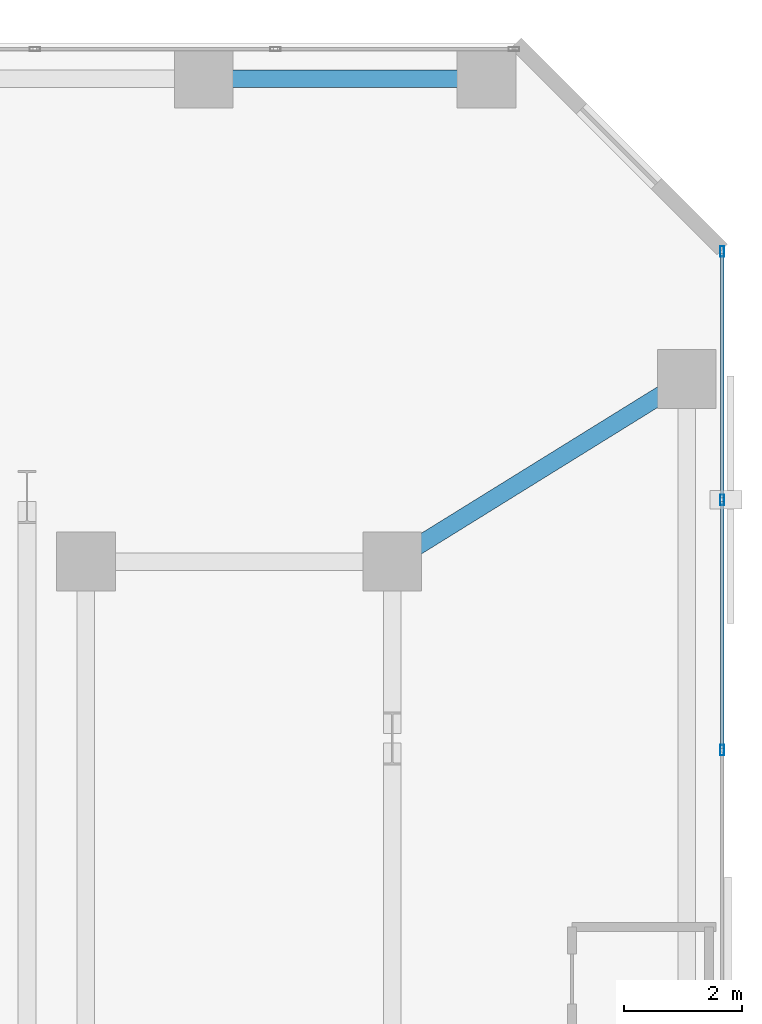
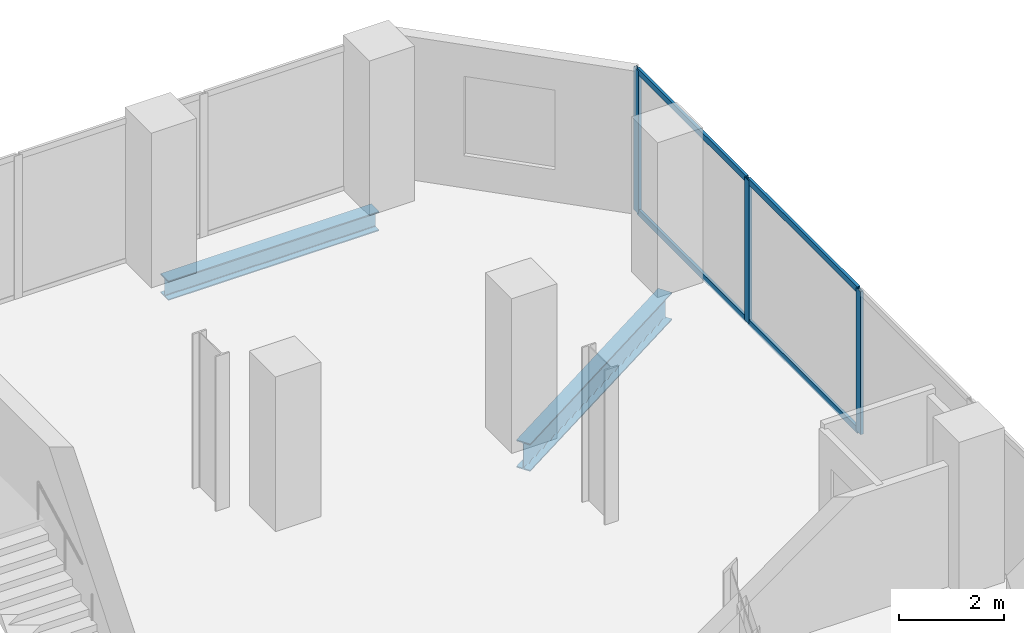
# One storey, part 23 of 31: 7 members, 2 beams, 1 element without a shape of its own.
"""IFC4 building model written with IfcOpenShell, lengths in metres."""

import ifcopenshell
import ifcopenshell.guid

model = None  # the IFC model being written
_history = None  # IfcOwnerHistory: only IFC2X3 demands one
_inside = {}  # id of a spatial element -> (the spatial element, [elements in it])
_under = {}  # id of a project, library or spatial element -> (it, [spatial elements below it])
_declared = {}  # id of a project -> (the project, [libraries it declares])
_typed = {}  # id of a type object -> (the type object, [elements of that type])
_made_of = {}  # id of a material, layer set ... -> (it, [elements and type objects made of it])


def new_model(schema):
    """Start an empty IFC model of exactly this schema.

    Asked for "IFC4X3", IfcOpenShell would pick the latest addendum, in which some entities
    have other attributes; the version numbers below select the first issue.
    IFC2X3 requires an IfcOwnerHistory on every rooted entity: one is made here for all.
    """
    global model, _history
    if schema == "IFC4X3":
        model = ifcopenshell.file(schema_version=(4, 3, 0, 0))
    else:
        model = ifcopenshell.file(schema=schema)
    _inside.clear()
    _under.clear()
    _declared.clear()
    _typed.clear()
    _made_of.clear()
    _history = None
    if model.schema == "IFC2X3":
        org = make("IfcOrganization", Name="unknown")
        user = make(
            "IfcPersonAndOrganization",
            ThePerson=make("IfcPerson", FamilyName="unknown"),
            TheOrganization=org,
        )
        app = make(
            "IfcApplication",
            ApplicationDeveloper=org,
            Version="unknown",
            ApplicationFullName="unknown",
            ApplicationIdentifier="unknown",
        )
        _history = make(
            "IfcOwnerHistory",
            OwningUser=user,
            OwningApplication=app,
            ChangeAction="ADDED",
            CreationDate=0,
        )
    return model


def make(cls, **values):
    """One entity of the class cls with the attributes given. An attribute that is None is left unset."""
    return model.create_entity(
        cls, **{name: value for name, value in values.items() if value is not None}
    )


def rooted(cls, **values):
    """An entity with a GlobalId (a new one), such as an element, a storey or a relation."""
    return make(cls, GlobalId=ifcopenshell.guid.new(), OwnerHistory=_history, **values)


def si_unit(unit_type, name, prefix=None):
    """IfcSIUnit, for example si_unit("LENGTHUNIT", "METRE", prefix="MILLI")."""
    return make("IfcSIUnit", UnitType=unit_type, Prefix=prefix, Name=name)


def assignment(units):
    """IfcUnitAssignment: the units of a project."""
    return None if units is None else make("IfcUnitAssignment", Units=units)


def point(xyz):
    """IfcCartesianPoint."""
    return None if xyz is None else make("IfcCartesianPoint", Coordinates=xyz)


def direction(xyz):
    """IfcDirection."""
    return None if xyz is None else make("IfcDirection", DirectionRatios=xyz)


def frame(location, z_axis=None, x_axis=None):
    """IfcAxis2Placement3D, a coordinate frame: its origin and axes. An axis left out is left unset."""
    return make(
        "IfcAxis2Placement3D",
        Location=point(location),
        Axis=direction(z_axis),
        RefDirection=direction(x_axis),
    )


def frame_2d(location, x_axis=None):
    """IfcAxis2Placement2D, a coordinate frame in the plane: its origin and x axis."""
    return make(
        "IfcAxis2Placement2D", Location=point(location), RefDirection=direction(x_axis)
    )


def origin():
    """The frame at (0, 0, 0) with its axes left unset."""
    return frame((0.0, 0.0, 0.0))


def origin_2d():
    """The frame at (0, 0) in the plane with its x axis left unset."""
    return frame_2d((0.0, 0.0))


def place(relative_to, where):
    """IfcLocalPlacement: puts the frame where relative to a parent placement (None: the world)."""
    return make(
        "IfcLocalPlacement", PlacementRelTo=relative_to, RelativePlacement=where
    )


def context(
    kind, dimensions, precision=None, world=None, true_north=None, identifier=None
):
    """IfcGeometricRepresentationContext, for example the 3D "Model" context."""
    return make(
        "IfcGeometricRepresentationContext",
        ContextIdentifier=identifier,
        ContextType=kind,
        CoordinateSpaceDimension=dimensions,
        Precision=precision,
        WorldCoordinateSystem=world,
        TrueNorth=true_north,
    )


def subcontext(parent, identifier, kind, view, scale=None):
    """IfcGeometricRepresentationSubContext, for example "Body" below "Model"."""
    return make(
        "IfcGeometricRepresentationSubContext",
        ContextIdentifier=identifier,
        ContextType=kind,
        ParentContext=parent,
        TargetScale=scale,
        TargetView=view,
    )


def project(units=None, contexts=None):
    """IfcProject with its units and contexts."""
    return rooted(
        "IfcProject",
        Name="project",
        RepresentationContexts=contexts,
        UnitsInContext=assignment(units),
    )


def spatial(cls, under=None, at=None, **own):
    """A site, building, storey or space (cls), placed at a placement, below another one or the project."""
    s = rooted(cls, ObjectPlacement=at, **own)
    if under is not None:
        _under.setdefault(under.id(), (under, []))[1].append(s)
    return s


def profile(cls, at=None, kind="AREA", **sizes):
    """A parametric profile (cls). Its sizes go by their IFC names, for example OverallWidth=200.0."""
    return make(cls, ProfileType=kind, Position=at, **sizes)


def hollow_rectangle(**sizes):
    """IfcRectangleHollowProfileDef."""
    return profile("IfcRectangleHollowProfileDef", **sizes)


def i_section(**sizes):
    """IfcIShapeProfileDef."""
    return profile("IfcIShapeProfileDef", **sizes)


def extrude(swept, where, along, depth):
    """IfcExtrudedAreaSolid: the profile swept, set in the frame where, extruded along a direction by depth."""
    return make(
        "IfcExtrudedAreaSolid",
        SweptArea=swept,
        Position=where,
        ExtrudedDirection=direction(along),
        Depth=depth,
    )


def shape(context_of_items, identifier, shape_type, items):
    """IfcShapeRepresentation: the items that make up one representation, for example the "Body"."""
    return make(
        "IfcShapeRepresentation",
        ContextOfItems=context_of_items,
        RepresentationIdentifier=identifier,
        RepresentationType=shape_type,
        Items=items,
    )


def material(Name=None, Category=None):
    """IfcMaterial."""
    return make("IfcMaterial", Name=Name, Category=Category)


def layer(
    of_material, thickness, ventilated=None, Name=None, Category=None, Priority=None
):
    """IfcMaterialLayer: one layer of a wall or slab, of a material (None: an air gap)."""
    return make(
        "IfcMaterialLayer",
        Material=of_material,
        LayerThickness=thickness,
        IsVentilated=ventilated,
        Name=Name,
        Category=Category,
        Priority=Priority,
    )


def layer_set(layers, Name=None):
    """IfcMaterialLayerSet."""
    return make("IfcMaterialLayerSet", MaterialLayers=layers, LayerSetName=Name)


def material_profile(
    of_material, cross_section, Name=None, Category=None, Priority=None
):
    """IfcMaterialProfile: a cross section and its material."""
    return make(
        "IfcMaterialProfile",
        Name=Name,
        Material=of_material,
        Profile=cross_section,
        Priority=Priority,
        Category=Category,
    )


def profile_set(profiles, Name=None, composite=None):
    """IfcMaterialProfileSet."""
    return make(
        "IfcMaterialProfileSet",
        Name=Name,
        MaterialProfiles=profiles,
        CompositeProfile=composite,
    )


def made_of(thing, what):
    """Note that an element or type object is made of a material, layer set ...; save() writes the relation."""
    if what is not None:
        _made_of.setdefault(what.id(), (what, []))[1].append(thing)
    return thing


def type_object(cls, material=None, **own):
    """A type object (cls), such as IfcWallType, which elements share."""
    return made_of(rooted(cls, **own), material)


def element(
    cls,
    number,
    at=None,
    inside=None,
    cuts=None,
    type_object=None,
    material=None,
    context=None,
    identifier="Body",
    shape_type=None,
    held_by="IfcProductDefinitionShape",
    body=None,
    shapes=None,
    **own,
):
    """One element of the class cls, such as IfcWall. Its Tag is "e" and its number.

    at: its placement. inside: the storey or other place that contains it. cuts: it is an
    opening in that element (IfcRelVoidsElement). A single representation is given by context,
    identifier, shape_type and body (its items); several are given by shapes. held_by: the class
    of the entity that holds the representations. save() writes the other relations.
    """
    e = rooted(cls, Tag="e%d" % number, ObjectPlacement=at, **own)
    if body is not None:
        shapes = [shape(context, identifier, shape_type, body)]
    if shapes is not None:
        e.Representation = make(held_by, Representations=shapes)
    if inside is not None:
        _inside.setdefault(inside.id(), (inside, []))[1].append(e)
    if cuts is not None:
        rooted(
            "IfcRelVoidsElement", RelatingBuildingElement=cuts, RelatedOpeningElement=e
        )
    if type_object is not None:
        _typed.setdefault(type_object.id(), (type_object, []))[1].append(e)
    return made_of(e, material)


def aggregate(whole, parts):
    """IfcRelAggregates: a whole, such as a stair, and the parts it consists of."""
    return rooted("IfcRelAggregates", RelatingObject=whole, RelatedObjects=parts)


def save(model, path):
    """Write the relations noted so far, then the file.

    IfcRelAggregates (storeys below a building ...), IfcRelContainedInSpatialStructure (elements
    in a storey), IfcRelDefinesByType, IfcRelAssociatesMaterial and IfcRelDeclares: one each for
    every whole, place, type object, material and project.
    """
    for whole, parts in _under.values():
        aggregate(whole, parts)
    for where, things in _inside.values():
        rooted(
            "IfcRelContainedInSpatialStructure",
            RelatedElements=things,
            RelatingStructure=where,
        )
    for kind, things in _typed.values():
        rooted("IfcRelDefinesByType", RelatedObjects=things, RelatingType=kind)
    for what, things in _made_of.values():
        rooted("IfcRelAssociatesMaterial", RelatedObjects=things, RelatingMaterial=what)
    for by, libraries in _declared.values():
        rooted("IfcRelDeclares", RelatingContext=by, RelatedDefinitions=libraries)
    model.write(path)


model = new_model("IFC4")

# Units and contexts
model_context = context("Model", 3, precision=1e-05, world=origin(), true_north=direction((0.0, 1.0)))
body_context = subcontext(model_context, "Body", "Model", "MODEL_VIEW")
ifc_project = project(units=[si_unit("LENGTHUNIT", "METRE"), si_unit("AREAUNIT", "SQUARE_METRE"), si_unit("VOLUMEUNIT", "CUBIC_METRE"), si_unit("PLANEANGLEUNIT", "RADIAN"), si_unit("MASSUNIT", "GRAM", prefix="KILO")], contexts=[model_context])

# Site, building, storey
site_placement = place(None, origin())
site = spatial("IfcSite", under=ifc_project, at=site_placement, CompositionType="ELEMENT")
building_placement = place(site_placement, origin())
building = spatial("IfcBuilding", under=site, at=building_placement, Name="Catumbela Crestline Tower", CompositionType="ELEMENT")
storey_placement = place(building_placement, frame((0.0, 0.0, 36.6)))
storey = spatial("IfcBuildingStorey", under=building, at=storey_placement, Name="L08", CompositionType="ELEMENT", Elevation=36.6)

# Beam
ifc_material_1 = material(Name="Structural steel S355J2", Category="steel")
ifc_material_profile_1 = material_profile(ifc_material_1, i_section(OverallWidth=0.3, OverallDepth=0.64, WebThickness=0.0135, FlangeThickness=0.026, FilletRadius=0.027, at=origin_2d()), Name="HEA 650")
ifc_profile_set_1 = profile_set([ifc_material_profile_1], Name="Structural steel S355J2")
beam_type_1 = type_object("IfcBeamType", Name="BG-HEA650", PredefinedType="BEAM", material=ifc_profile_set_1)
beam_1_placement = place(storey_placement, frame((50.468, 39.2422, -0.58), z_axis=(0.849908952007, 0.526929571479, 0.0), x_axis=(-0.526929571479, 0.849908952007, 0.0)))
element("IfcBeam", 1, at=beam_1_placement, inside=storey, type_object=beam_type_1, Name="L08 Beam BM-L08-N18", PredefinedType="BEAM", context=body_context, shape_type="SweptSolid", body=[
    extrude(i_section(OverallWidth=0.3, OverallDepth=0.64, WebThickness=0.0135, FlangeThickness=0.026, FilletRadius=0.027, at=origin_2d()), origin(), (0.0, 0.0, 1.0), 5.723),
])

# Curtain wall, members
ifc_material_2 = material(Name="Aluminium alloy AW-6060-T66", Category="aluminium")
ifc_layer = layer(ifc_material_2, 0.18, Name="Aluminium alloy AW-6060-T66")
ifc_layer_set = layer_set([ifc_layer], Name="Aluminium alloy AW-6060-T66")
curtain_wall_type = type_object("IfcCurtainWallType", Name="CWU-Z1", PredefinedType="USERDEFINED", material=ifc_layer_set)
curtain_wall_placement = place(storey_placement, origin())
curtain_wall = element("IfcCurtainWall", 2, at=curtain_wall_placement, inside=storey, type_object=curtain_wall_type, Name="L08 Unitised Curtain Wall CW-L08-E5S1", ObjectType="UNITISED", PredefinedType="USERDEFINED")
ifc_material_profile_2 = material_profile(ifc_material_2, hollow_rectangle(XDim=0.065, YDim=0.18, WallThickness=0.004, at=origin_2d()), Name="ALU 180x65x4")
ifc_profile_set_2 = profile_set([ifc_material_profile_2], Name="Aluminium alloy AW-6060-T66")
member_type_1 = type_object("IfcMemberType", Name="MUL-180X65", PredefinedType="MULLION", material=ifc_profile_set_2)
member_1_placement = place(storey_placement, frame((56.0, 36.0, 0.0), z_axis=(0.0, 0.0, 1.0), x_axis=(-1.0, 0.0, 0.0)))
member_1 = element("IfcMember", 3, at=member_1_placement, type_object=member_type_1, Name="CWU-Z1 mullion 3", PredefinedType="MULLION", context=body_context, shape_type="SweptSolid", body=[
    extrude(hollow_rectangle(XDim=0.065, YDim=0.18, WallThickness=0.004, at=origin_2d()), origin(), (0.0, 0.0, 1.0), 3.33),
])
member_2_placement = place(storey_placement, frame((56.0, 40.25, 0.0), z_axis=(0.0, 0.0, 1.0), x_axis=(-1.0, 0.0, 0.0)))
member_2 = element("IfcMember", 4, at=member_2_placement, type_object=member_type_1, Name="CWU-Z1 mullion 4", PredefinedType="MULLION", context=body_context, shape_type="SweptSolid", body=[
    extrude(hollow_rectangle(XDim=0.065, YDim=0.18, WallThickness=0.004, at=origin_2d()), origin(), (0.0, 0.0, 1.0), 3.33),
])
member_3_placement = place(storey_placement, frame((56.0, 44.4675, 0.0), z_axis=(0.0, 0.0, 1.0), x_axis=(-1.0, 0.0, 0.0)))
member_3 = element("IfcMember", 5, at=member_3_placement, type_object=member_type_1, Name="CWU-Z1 mullion 5", PredefinedType="MULLION", context=body_context, shape_type="SweptSolid", body=[
    extrude(hollow_rectangle(XDim=0.065, YDim=0.18, WallThickness=0.004, at=origin_2d()), origin(), (0.0, 0.0, 1.0), 3.33),
])

# Beam
ifc_material_profile_3 = material_profile(ifc_material_1, i_section(OverallWidth=0.3, OverallDepth=0.45, WebThickness=0.014, FlangeThickness=0.026, FilletRadius=0.027, at=origin_2d()), Name="HEB 450")
ifc_profile_set_3 = profile_set([ifc_material_profile_3], Name="Structural steel S355J2")
beam_type_2 = type_object("IfcBeamType", Name="BS-HEB450", PredefinedType="SPANDREL", material=ifc_profile_set_3)
beam_2_placement = place(storey_placement, frame((47.28, 47.4, -0.485), z_axis=(1.0, 0.0, 0.0), x_axis=(0.0, 1.0, 0.0)))
element("IfcBeam", 6, at=beam_2_placement, inside=storey, type_object=beam_type_2, Name="L08 Spandrel SP-L08-NF24", PredefinedType="SPANDREL", context=body_context, shape_type="SweptSolid", body=[
    extrude(i_section(OverallWidth=0.3, OverallDepth=0.45, WebThickness=0.014, FlangeThickness=0.026, FilletRadius=0.027, at=origin_2d()), origin(), (0.0, 0.0, 1.0), 4.64),
])

# Member
ifc_material_profile_4 = material_profile(ifc_material_2, hollow_rectangle(XDim=0.06, YDim=0.14, WallThickness=0.004, at=origin_2d()), Name="ALU 140x60x4")
ifc_profile_set_4 = profile_set([ifc_material_profile_4], Name="Aluminium alloy AW-6060-T66")
member_type_2 = type_object("IfcMemberType", Name="TRN-140X60", PredefinedType="USERDEFINED", material=ifc_profile_set_4)
member_4_placement = place(storey_placement, frame((56.0, 36.0325, 0.03), z_axis=(0.0, 1.0, 0.0), x_axis=(-1.0, 0.0, 0.0)))
member_4 = element("IfcMember", 7, at=member_4_placement, type_object=member_type_2, Name="CWU-Z1 transom 3.1", ObjectType="TRANSOM", PredefinedType="USERDEFINED", context=body_context, shape_type="SweptSolid", body=[
    extrude(hollow_rectangle(XDim=0.06, YDim=0.14, WallThickness=0.004, at=origin_2d()), origin(), (0.0, 0.0, 1.0), 4.185),
])

member_5_placement = place(storey_placement, frame((56.0, 36.0325, 3.3), z_axis=(0.0, 1.0, 0.0), x_axis=(-1.0, 0.0, 0.0)))
member_5 = element("IfcMember", 8, at=member_5_placement, type_object=member_type_2, Name="CWU-Z1 transom 3.2", ObjectType="TRANSOM", PredefinedType="USERDEFINED", context=body_context, shape_type="SweptSolid", body=[
    extrude(hollow_rectangle(XDim=0.06, YDim=0.14, WallThickness=0.004, at=origin_2d()), origin(), (0.0, 0.0, 1.0), 4.185),
])

member_6_placement = place(storey_placement, frame((56.0, 40.2825, 0.03), z_axis=(0.0, 1.0, 0.0), x_axis=(-1.0, 0.0, 0.0)))
member_6 = element("IfcMember", 9, at=member_6_placement, type_object=member_type_2, Name="CWU-Z1 transom 4.1", ObjectType="TRANSOM", PredefinedType="USERDEFINED", context=body_context, shape_type="SweptSolid", body=[
    extrude(hollow_rectangle(XDim=0.06, YDim=0.14, WallThickness=0.004, at=origin_2d()), origin(), (0.0, 0.0, 1.0), 4.1525),
])

member_7_placement = place(storey_placement, frame((56.0, 40.2825, 3.3), z_axis=(0.0, 1.0, 0.0), x_axis=(-1.0, 0.0, 0.0)))
member_7 = element("IfcMember", 10, at=member_7_placement, type_object=member_type_2, Name="CWU-Z1 transom 4.2", ObjectType="TRANSOM", PredefinedType="USERDEFINED", context=body_context, shape_type="SweptSolid", body=[
    extrude(hollow_rectangle(XDim=0.06, YDim=0.14, WallThickness=0.004, at=origin_2d()), origin(), (0.0, 0.0, 1.0), 4.1525),
])

aggregate(curtain_wall, [member_1, member_2, member_3, member_4, member_5, member_6, member_7])

save(model, "model.ifc")
